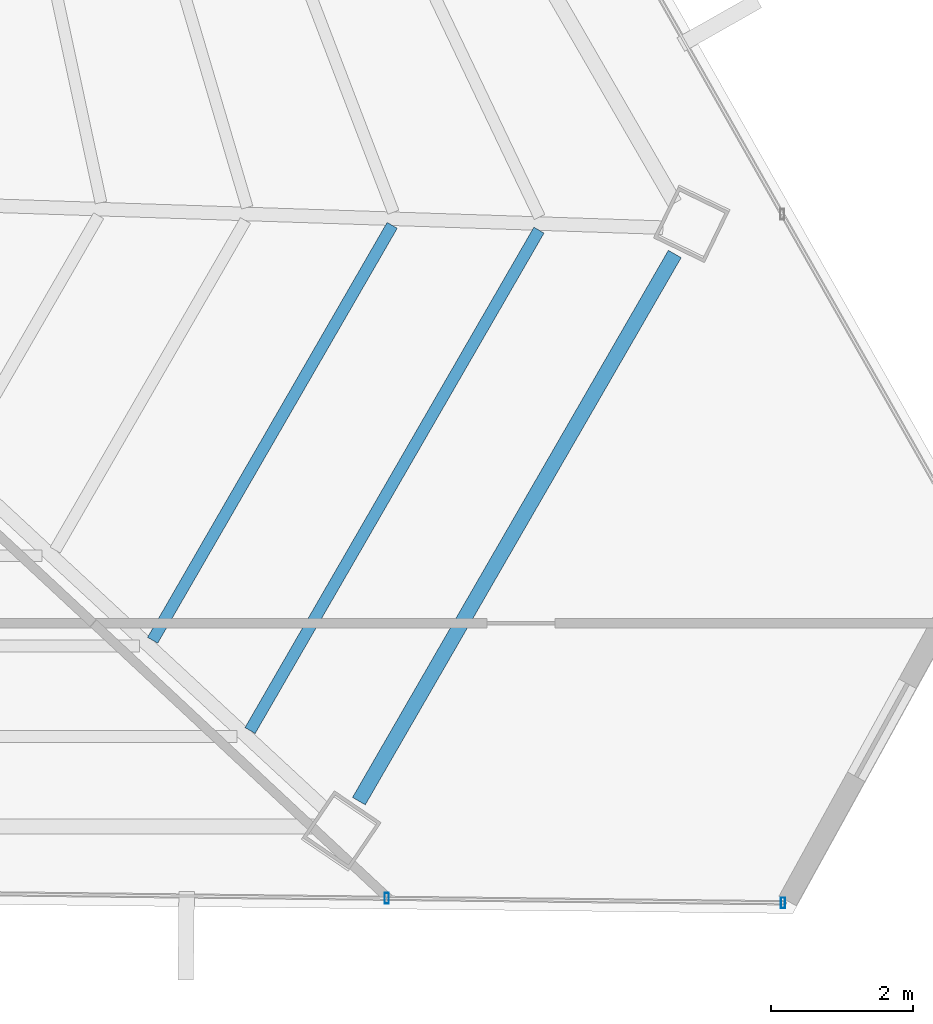
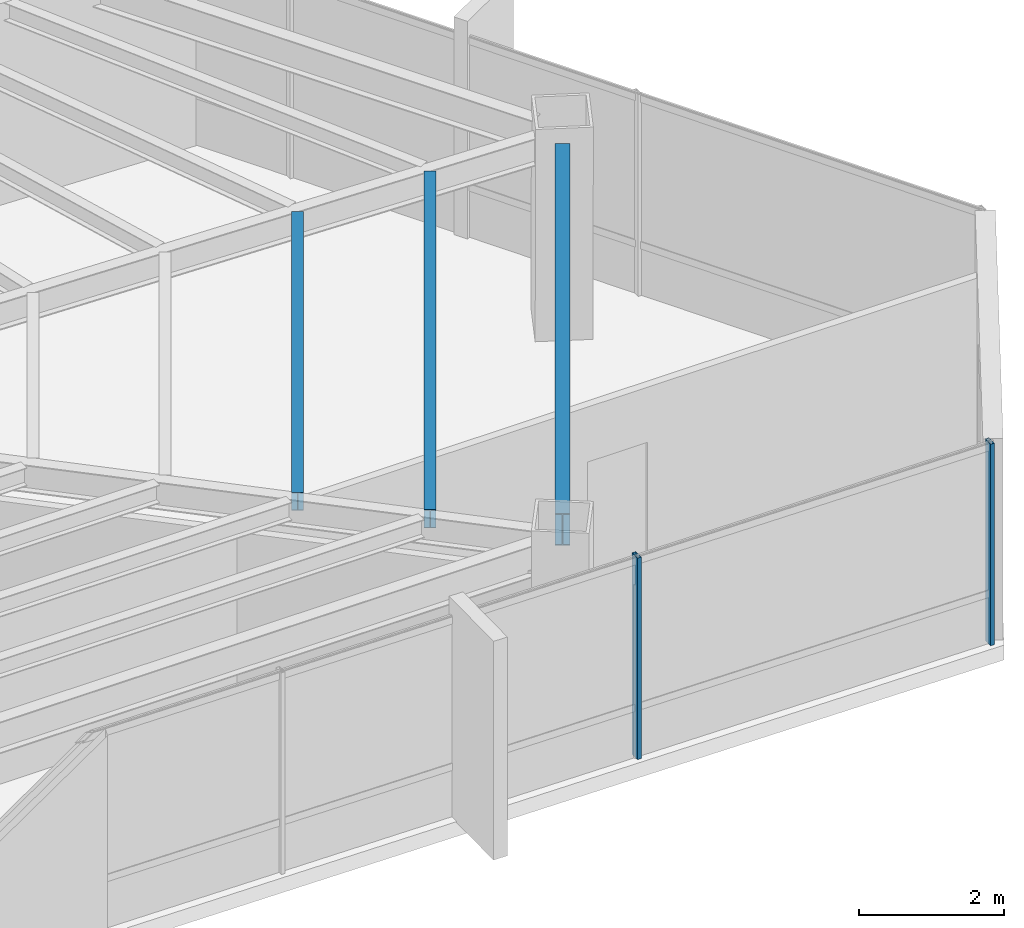
# One storey, part 20 of 41: 3 beams, 2 members, 1 element without a shape of its own.
"""IFC4 building model written with IfcOpenShell, lengths in metres."""

from ifc_helpers import new_model, si_unit, direction, frame, origin, origin_2d, place, context, subcontext, project, spatial, hollow_rectangle, i_section, extrude, source, transform, mapped, material, material_profile, profile_set, type_object, type_shapes, element, aggregate, save


model = new_model("IFC4")

# Units and contexts
model_context = context("Model", 3, precision=1e-05, world=origin(), true_north=direction((0.0, 1.0)))
body_context = subcontext(model_context, "Body", "Model", "MODEL_VIEW")
ifc_project = project(units=[si_unit("LENGTHUNIT", "METRE"), si_unit("AREAUNIT", "SQUARE_METRE"), si_unit("VOLUMEUNIT", "CUBIC_METRE"), si_unit("PLANEANGLEUNIT", "RADIAN"), si_unit("MASSUNIT", "GRAM", prefix="KILO")], contexts=[model_context])

# Site, building, storey
site_placement = place(None, origin())
site = spatial("IfcSite", under=ifc_project, at=site_placement, CompositionType="ELEMENT")
building_placement = place(site_placement, origin())
building = spatial("IfcBuilding", under=site, at=building_placement, Name="Caelisora Broadcast Tower", CompositionType="ELEMENT")
storey_placement = place(building_placement, frame((0.0, 0.0, 209.60009765625)))
storey = spatial("IfcBuildingStorey", under=building, at=storey_placement, Name="L55", CompositionType="ELEMENT", Elevation=209.60009765625)

# Beams
ifc_material_1 = material(Name="Steel Grade 350 (AS/NZS 3679.1)", Category="steel")
ifc_material_profile_1 = material_profile(ifc_material_1, i_section(OverallWidth=0.208984375, OverallDepth=0.532958984375, WebThickness=0.01025390625, FlangeThickness=0.015625, at=origin_2d()), Name="Steel Grade 350 (AS/NZS 3679.1)")
ifc_profile_set_1 = profile_set([ifc_material_profile_1], Name="Steel Grade 350 (AS/NZS 3679.1)")
beam_type_1 = type_object("IfcBeamType", Name="PG05", PredefinedType="BEAM", material=ifc_profile_set_1)
shared_shape_1 = source(origin(), body_context, "Body", "SweptSolid", [
    extrude(i_section(OverallWidth=0.208984375, OverallDepth=0.532958984375, WebThickness=0.01025390625, FlangeThickness=0.015625, at=origin_2d()), origin(), (0.0, 0.0, 1.0), 8.921630859375),
])
type_shapes(beam_type_1, [shared_shape_1])
beam_1_placement = place(storey_placement, frame((55.3408203125, 8.83740234375, 3.13330078125), z_axis=(0.499991708921, 0.866030190588, 0.0), x_axis=(-0.866030190588, 0.499991708921, 0.0)))
element("IfcBeam", 1, at=beam_1_placement, inside=storey, type_object=beam_type_1, Name="L55 beam PG05", PredefinedType="BEAM", context=body_context, shape_type="MappedRepresentation", body=[
    mapped(shared_shape_1, transform((0.0, 0.0, 0.0), scale=1.0)),
])
ifc_material_profile_2 = material_profile(ifc_material_1, i_section(OverallWidth=0.166015625, OverallDepth=0.30712890625, WebThickness=0.006591796875, FlangeThickness=0.01171875, at=origin_2d()), Name="Steel Grade 350 (AS/NZS 3679.1)")
ifc_profile_set_2 = profile_set([ifc_material_profile_2], Name="Steel Grade 350 (AS/NZS 3679.1)")
beam_type_2 = type_object("IfcBeamType", Name="SB03", PredefinedType="JOIST", material=ifc_profile_set_2)
shared_shape_2 = source(origin(), body_context, "Body", "SweptSolid", [
    extrude(i_section(OverallWidth=0.166015625, OverallDepth=0.30712890625, WebThickness=0.006591796875, FlangeThickness=0.01171875, at=origin_2d()), origin(), (0.0, 0.0, 1.0), 6.766357421875),
])
beam_2_placement = place(storey_placement, frame((52.427978515625, 11.10888671875, 3.246337890625), z_axis=(0.500011875296, 0.866018547471, 0.0), x_axis=(-0.866018547471, 0.500011875296, 0.0)))
element("IfcBeam", 2, at=beam_2_placement, inside=storey, type_object=beam_type_2, Name="L55 beam SB03", PredefinedType="JOIST", context=body_context, shape_type="MappedRepresentation", body=[
    mapped(shared_shape_2, transform((0.0, 0.0, 0.0), scale=1.0)),
])
shared_shape_3 = source(origin(), body_context, "Body", "SweptSolid", [
    extrude(i_section(OverallWidth=0.166015625, OverallDepth=0.30712890625, WebThickness=0.006591796875, FlangeThickness=0.01171875, at=origin_2d()), origin(), (0.0, 0.0, 1.0), 8.159912109375),
])
type_shapes(beam_type_2, [shared_shape_2, shared_shape_3])
beam_3_placement = place(storey_placement, frame((53.80419921875, 9.833984375, 3.246337890625), z_axis=(0.499977989289, 0.866038111301, 0.0), x_axis=(-0.866038111301, 0.499977989289, 0.0)))
element("IfcBeam", 3, at=beam_3_placement, inside=storey, type_object=beam_type_2, Name="L55 beam SB03", PredefinedType="JOIST", context=body_context, shape_type="MappedRepresentation", body=[
    mapped(shared_shape_3, transform((0.0, 0.0, 0.0), scale=1.0)),
])

# Curtain wall, members
ifc_material_2 = material(Name="Unitised Aluminium and Low-E Glass Curtain Wall", Category="glass")
curtain_wall_type = type_object("IfcCurtainWallType", Name="CW-Z4", PredefinedType="NOTDEFINED", material=ifc_material_2)
curtain_wall_placement = place(storey_placement, origin())
curtain_wall = element("IfcCurtainWall", 4, at=curtain_wall_placement, inside=storey, type_object=curtain_wall_type, Name="L55 curtain wall CW-Z4", PredefinedType="NOTDEFINED")
ifc_material_3 = material(Name="Aluminium 6063-T6 Anodised Terracotta Bronze", Category="aluminium")
ifc_material_profile_3 = material_profile(ifc_material_3, hollow_rectangle(XDim=0.06005859375, YDim=0.14990234375, WallThickness=0.00341796875, at=origin_2d()), Name="Aluminium 6063-T6 Anodised Terracotta Bronze")
ifc_profile_set_3 = profile_set([ifc_material_profile_3], Name="Aluminium 6063-T6 Anodised Terracotta Bronze")
member_type = type_object("IfcMemberType", Name="CWM-03", PredefinedType="MULLION", material=ifc_profile_set_3)
shared_shape_4 = source(origin(), body_context, "Body", "SweptSolid", [
    extrude(hollow_rectangle(XDim=0.06005859375, YDim=0.14990234375, WallThickness=0.00341796875, at=origin_2d()), origin(), (0.0, 0.0, 1.0), 3.39990234375),
])
type_shapes(member_type, [shared_shape_4])
member_1_placement = place(storey_placement, frame((61.3310546875, 7.401611328125, 0.0), z_axis=(0.0, 0.0, 1.0), x_axis=(1.0, 0.0, 0.0)))
member_1 = element("IfcMember", 5, at=member_1_placement, type_object=member_type, Name="L55-CW-B05 mullion #0", PredefinedType="MULLION", context=body_context, shape_type="MappedRepresentation", body=[
    mapped(shared_shape_4, transform((0.0, 0.0, 0.0), scale=1.0)),
])
member_2_placement = place(storey_placement, frame((55.734130859375, 7.465576171875, 0.0), z_axis=(0.0, 0.0, 1.0), x_axis=(1.0, 0.0, 0.0)))
member_2 = element("IfcMember", 6, at=member_2_placement, type_object=member_type, Name="L55-CW-B05 mullion #1", PredefinedType="MULLION", context=body_context, shape_type="MappedRepresentation", body=[
    mapped(shared_shape_4, transform((0.0, 0.0, 0.0), scale=1.0)),
])
aggregate(curtain_wall, [member_1, member_2])

save(model, "model.ifc")
